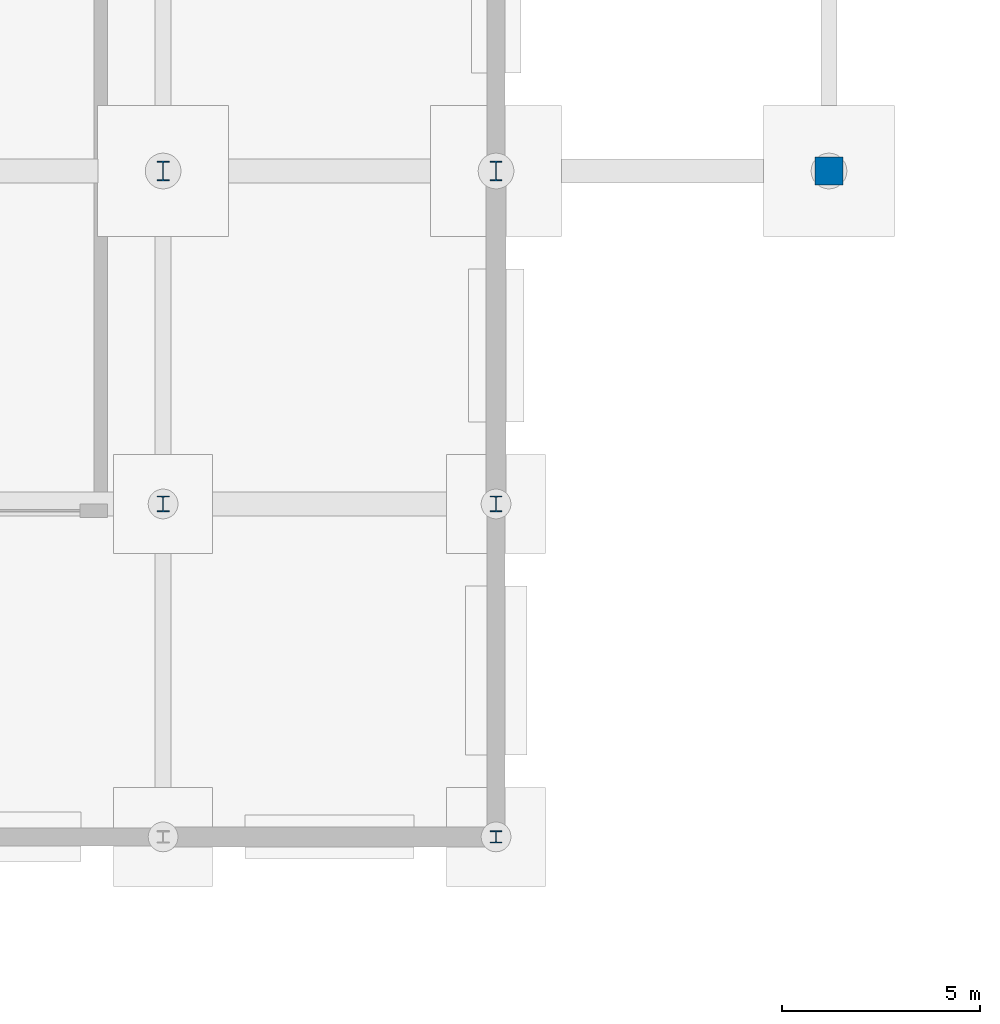
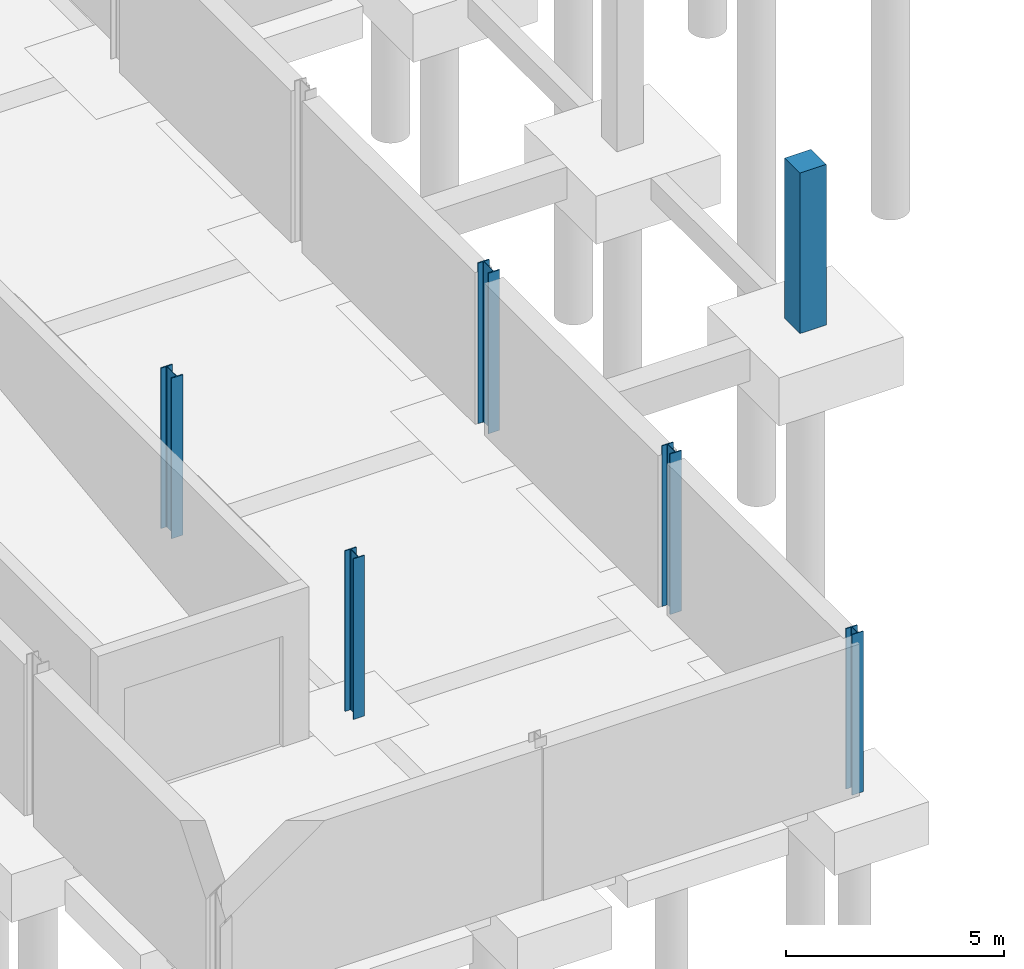
# One storey, part 14 of 43: 6 columns.
"""IFC4 building model written with IfcOpenShell, lengths in metres."""

from ifc_helpers import new_model, si_unit, direction, frame, origin, origin_2d, place, context, subcontext, project, spatial, rectangle, i_section, extrude, material, material_profile, profile_set, type_object, element, save


model = new_model("IFC4")

# Units and contexts
model_context = context("Model", 3, precision=1e-05, world=origin(), true_north=direction((0.0, 1.0)))
body_context = subcontext(model_context, "Body", "Model", "MODEL_VIEW")
ifc_project = project(units=[si_unit("LENGTHUNIT", "METRE"), si_unit("AREAUNIT", "SQUARE_METRE"), si_unit("VOLUMEUNIT", "CUBIC_METRE"), si_unit("PLANEANGLEUNIT", "RADIAN"), si_unit("MASSUNIT", "GRAM", prefix="KILO")], contexts=[model_context])

# Site, building, storey
site_placement = place(None, origin())
site = spatial("IfcSite", under=ifc_project, at=site_placement, CompositionType="ELEMENT")
building_placement = place(site_placement, origin())
building = spatial("IfcBuilding", under=site, at=building_placement, Name="Mersafa Astral City Hall", CompositionType="ELEMENT")
storey_placement = place(building_placement, frame((0.0, 0.0, -4.5)))
storey = spatial("IfcBuildingStorey", under=building, at=storey_placement, Name="B1", CompositionType="ELEMENT", Elevation=-4.5)

# Columns
ifc_material_1 = material(Name="Steel S355", Category="steel")
ifc_material_profile_1 = material_profile(ifc_material_1, i_section(OverallWidth=0.300048828125, OverallDepth=0.300048828125, WebThickness=0.010986328125, FlangeThickness=0.01904296875, FilletRadius=0.027099609375, at=origin_2d()), Name="HEB 300")
ifc_profile_set_1 = profile_set([ifc_material_profile_1], Name="Steel S355")
column_type_1 = type_object("IfcColumnType", Name="STR-COL-HEB300", PredefinedType="COLUMN", material=ifc_profile_set_1)
column_1_placement = place(storey_placement, frame((42.0, 75.60009765625, 0.0), z_axis=(0.0, 0.0, 1.0), x_axis=(1.0, 0.0, 0.0)))
element("IfcColumn", 1, at=column_1_placement, inside=storey, type_object=column_type_1, Name="B1 Structural column G-05-09", PredefinedType="COLUMN", context=body_context, shape_type="SweptSolid", body=[
    extrude(i_section(OverallWidth=0.300048828125, OverallDepth=0.300048828125, WebThickness=0.010986328125, FlangeThickness=0.01904296875, FilletRadius=0.027099609375, at=origin_2d()), origin(), (0.0, 0.0, 1.0), 4.5),
])
ifc_material_profile_2 = material_profile(ifc_material_1, i_section(OverallWidth=0.300048828125, OverallDepth=0.39990234375, WebThickness=0.013427734375, FlangeThickness=0.02392578125, FilletRadius=0.027099609375, at=origin_2d()), Name="HEB 400")
ifc_profile_set_2 = profile_set([ifc_material_profile_2], Name="Steel S355")
column_type_2 = type_object("IfcColumnType", Name="STR-COL-HEB400", PredefinedType="COLUMN", material=ifc_profile_set_2)
for number, where, z_axis, x_axis, name in (
    (2, (33.60009765625, 84.0, 0.0), (0.0, 0.0, 1.0), (1.0, 0.0, 0.0), "B1 Structural column G-04-10"),
    (3, (42.0, 84.0, 0.0), (0.0, 0.0, 1.0), (1.0, 0.0, 0.0), "B1 Structural column G-05-10"),
):
    element("IfcColumn", number, at=place(storey_placement, frame(where, z_axis=z_axis, x_axis=x_axis)), inside=storey, type_object=column_type_2, Name=name, PredefinedType="COLUMN", context=body_context, shape_type="SweptSolid", body=[
        extrude(i_section(OverallWidth=0.300048828125, OverallDepth=0.39990234375, WebThickness=0.013427734375, FlangeThickness=0.02392578125, FilletRadius=0.027099609375, at=origin_2d()), origin(), (0.0, 0.0, 1.0), 4.5),
    ])
ifc_material_profile_3 = material_profile(ifc_material_1, i_section(OverallWidth=0.300048828125, OverallDepth=0.5, WebThickness=0.014404296875, FlangeThickness=0.028076171875, FilletRadius=0.027099609375, at=origin_2d()), Name="HEB 500")
ifc_profile_set_3 = profile_set([ifc_material_profile_3], Name="Steel S355")
column_type_3 = type_object("IfcColumnType", Name="STR-COL-HEB500", PredefinedType="COLUMN", material=ifc_profile_set_3)
for number, where, z_axis, x_axis, name in (
    (4, (33.60009765625, 92.39990234375, 0.0), (0.0, 0.0, 1.0), (1.0, 0.0, 0.0), "B1 Structural column G-04-11"),
    (5, (42.0, 92.39990234375, 0.0), (0.0, 0.0, 1.0), (1.0, 0.0, 0.0), "B1 Structural column G-05-11"),
):
    element("IfcColumn", number, at=place(storey_placement, frame(where, z_axis=z_axis, x_axis=x_axis)), inside=storey, type_object=column_type_3, Name=name, PredefinedType="COLUMN", context=body_context, shape_type="SweptSolid", body=[
        extrude(i_section(OverallWidth=0.300048828125, OverallDepth=0.5, WebThickness=0.014404296875, FlangeThickness=0.028076171875, FilletRadius=0.027099609375, at=origin_2d()), origin(), (0.0, 0.0, 1.0), 4.5),
    ])
ifc_material_2 = material(Name="Concrete C40/50", Category="concrete")
ifc_material_profile_4 = material_profile(ifc_material_2, rectangle(XDim=0.699951171875, YDim=0.699951171875, at=origin_2d()), Name="RC 700x700")
ifc_profile_set_4 = profile_set([ifc_material_profile_4], Name="Concrete C40/50")
column_type_4 = type_object("IfcColumnType", Name="STR-COL-RC700", PredefinedType="COLUMN", material=ifc_profile_set_4)
column_2_placement = place(storey_placement, frame((50.39990234375, 92.39990234375, 0.0), z_axis=(0.0, 0.0, 1.0), x_axis=(1.0, 0.0, 0.0)))
element("IfcColumn", 6, at=column_2_placement, inside=storey, type_object=column_type_4, Name="B1 Structural column G-06-11", PredefinedType="COLUMN", context=body_context, shape_type="SweptSolid", body=[
    extrude(rectangle(XDim=0.699951171875, YDim=0.699951171875, at=origin_2d()), origin(), (0.0, 0.0, 1.0), 4.5),
])

save(model, "model.ifc")
